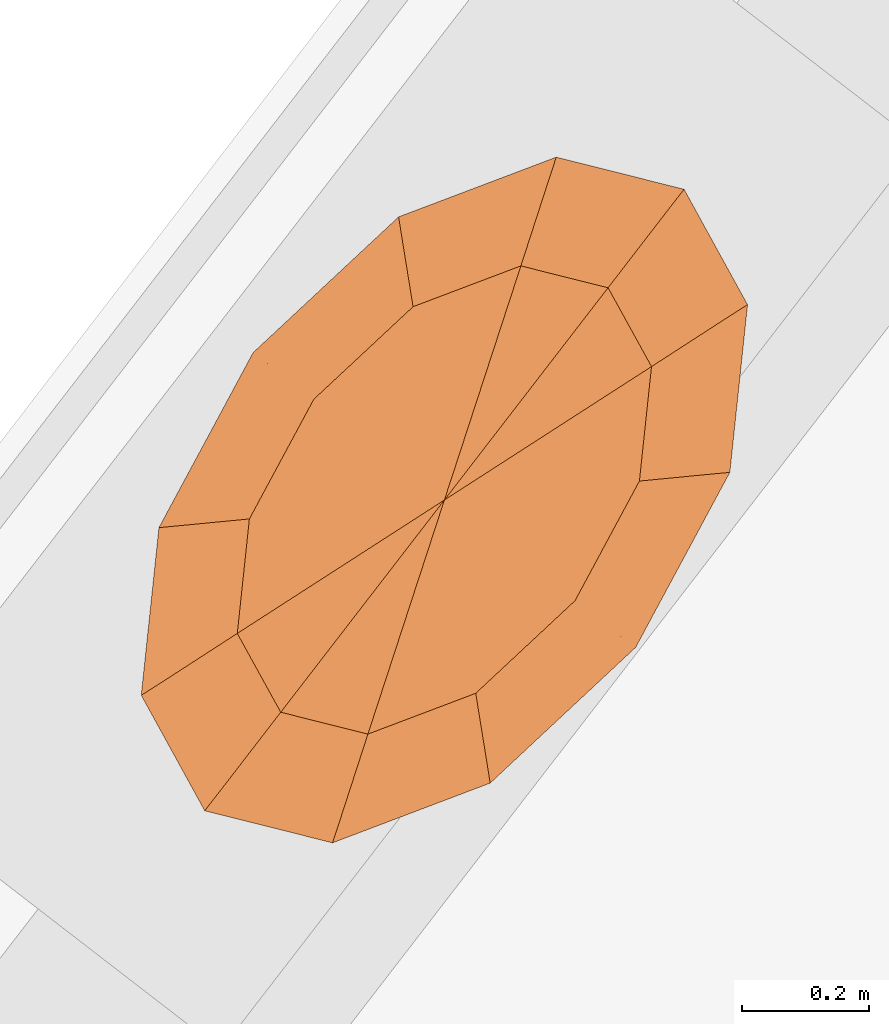
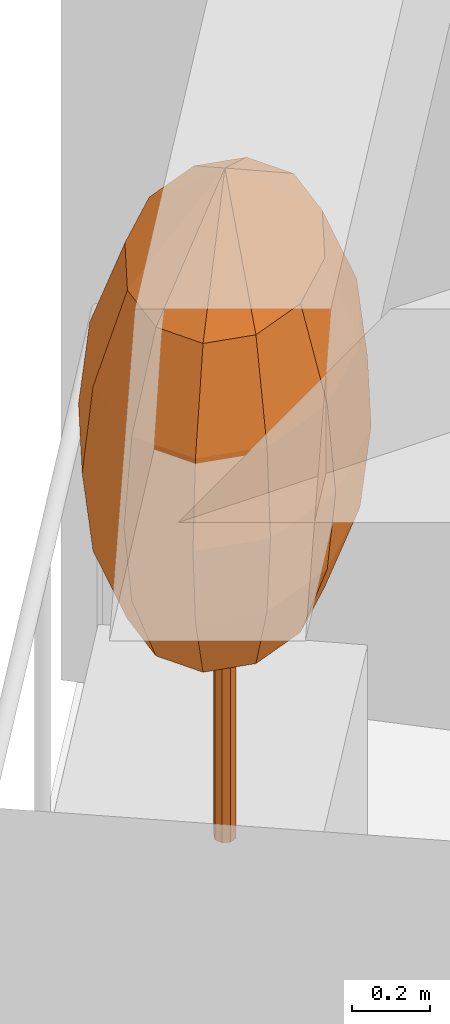
# One storey, part 13 of 13: 1 geographic element.
"""IFC4 building model written with IfcOpenShell, lengths in metres."""

import ifcopenshell
import ifcopenshell.guid

model = None  # the IFC model being written
_history = None  # IfcOwnerHistory: only IFC2X3 demands one
_inside = {}  # id of a spatial element -> (the spatial element, [elements in it])
_under = {}  # id of a project, library or spatial element -> (it, [spatial elements below it])
_declared = {}  # id of a project -> (the project, [libraries it declares])
_typed = {}  # id of a type object -> (the type object, [elements of that type])
_made_of = {}  # id of a material, layer set ... -> (it, [elements and type objects made of it])


def new_model(schema):
    """Start an empty IFC model of exactly this schema.

    Asked for "IFC4X3", IfcOpenShell would pick the latest addendum, in which some entities
    have other attributes; the version numbers below select the first issue.
    IFC2X3 requires an IfcOwnerHistory on every rooted entity: one is made here for all.
    """
    global model, _history
    if schema == "IFC4X3":
        model = ifcopenshell.file(schema_version=(4, 3, 0, 0))
    else:
        model = ifcopenshell.file(schema=schema)
    _inside.clear()
    _under.clear()
    _declared.clear()
    _typed.clear()
    _made_of.clear()
    _history = None
    if model.schema == "IFC2X3":
        org = make("IfcOrganization", Name="unknown")
        user = make(
            "IfcPersonAndOrganization",
            ThePerson=make("IfcPerson", FamilyName="unknown"),
            TheOrganization=org,
        )
        app = make(
            "IfcApplication",
            ApplicationDeveloper=org,
            Version="unknown",
            ApplicationFullName="unknown",
            ApplicationIdentifier="unknown",
        )
        _history = make(
            "IfcOwnerHistory",
            OwningUser=user,
            OwningApplication=app,
            ChangeAction="ADDED",
            CreationDate=0,
        )
    return model


def make(cls, **values):
    """One entity of the class cls with the attributes given. An attribute that is None is left unset."""
    return model.create_entity(
        cls, **{name: value for name, value in values.items() if value is not None}
    )


def rooted(cls, **values):
    """An entity with a GlobalId (a new one), such as an element, a storey or a relation."""
    return make(cls, GlobalId=ifcopenshell.guid.new(), OwnerHistory=_history, **values)


def si_unit(unit_type, name, prefix=None):
    """IfcSIUnit, for example si_unit("LENGTHUNIT", "METRE", prefix="MILLI")."""
    return make("IfcSIUnit", UnitType=unit_type, Prefix=prefix, Name=name)


def assignment(units):
    """IfcUnitAssignment: the units of a project."""
    return None if units is None else make("IfcUnitAssignment", Units=units)


def point(xyz):
    """IfcCartesianPoint."""
    return None if xyz is None else make("IfcCartesianPoint", Coordinates=xyz)


def direction(xyz):
    """IfcDirection."""
    return None if xyz is None else make("IfcDirection", DirectionRatios=xyz)


def frame(location, z_axis=None, x_axis=None):
    """IfcAxis2Placement3D, a coordinate frame: its origin and axes. An axis left out is left unset."""
    return make(
        "IfcAxis2Placement3D",
        Location=point(location),
        Axis=direction(z_axis),
        RefDirection=direction(x_axis),
    )


def origin():
    """The frame at (0, 0, 0) with its axes left unset."""
    return frame((0.0, 0.0, 0.0))


def place(relative_to, where):
    """IfcLocalPlacement: puts the frame where relative to a parent placement (None: the world)."""
    return make(
        "IfcLocalPlacement", PlacementRelTo=relative_to, RelativePlacement=where
    )


def context(
    kind, dimensions, precision=None, world=None, true_north=None, identifier=None
):
    """IfcGeometricRepresentationContext, for example the 3D "Model" context."""
    return make(
        "IfcGeometricRepresentationContext",
        ContextIdentifier=identifier,
        ContextType=kind,
        CoordinateSpaceDimension=dimensions,
        Precision=precision,
        WorldCoordinateSystem=world,
        TrueNorth=true_north,
    )


def subcontext(parent, identifier, kind, view, scale=None):
    """IfcGeometricRepresentationSubContext, for example "Body" below "Model"."""
    return make(
        "IfcGeometricRepresentationSubContext",
        ContextIdentifier=identifier,
        ContextType=kind,
        ParentContext=parent,
        TargetScale=scale,
        TargetView=view,
    )


def project(units=None, contexts=None):
    """IfcProject with its units and contexts."""
    return rooted(
        "IfcProject",
        Name="project",
        RepresentationContexts=contexts,
        UnitsInContext=assignment(units),
    )


def spatial(cls, under=None, at=None, **own):
    """A site, building, storey or space (cls), placed at a placement, below another one or the project."""
    s = rooted(cls, ObjectPlacement=at, **own)
    if under is not None:
        _under.setdefault(under.id(), (under, []))[1].append(s)
    return s


def faces_of(points, faces, orient=None, outer=None):
    """IfcFace entities. A face is a list of loops; a loop is a list of indices into points, from 0.

    orient and outer hold one flag for each loop. By default every Orientation is true, the
    first loop of a face is its IfcFaceOuterBound and the others are IfcFaceBound.
    """
    made = []
    for i, loops in enumerate(faces):
        bounds = []
        for j, loop in enumerate(loops):
            is_outer = j == 0 if outer is None else outer[i][j]
            bounds.append(
                make(
                    "IfcFaceOuterBound" if is_outer else "IfcFaceBound",
                    Bound=make("IfcPolyLoop", Polygon=[points[k] for k in loop]),
                    Orientation=True if orient is None else orient[i][j],
                )
            )
        made.append(make("IfcFace", Bounds=bounds))
    return made


def faceted_brep(points, faces, orient=None, outer=None, voids=None):
    """IfcFacetedBrep: a solid bounded by flat faces; with voids (closed shells), ...WithVoids."""
    shared = [point(p) for p in points]
    hull = make("IfcClosedShell", CfsFaces=faces_of(shared, faces, orient, outer))
    if voids is None:
        return make("IfcFacetedBrep", Outer=hull)
    return make(
        "IfcFacetedBrepWithVoids",
        Outer=hull,
        Voids=[
            make(cls, CfsFaces=faces_of(shared, fs, o, b)) for cls, fs, o, b in voids
        ],
    )


def shape(context_of_items, identifier, shape_type, items):
    """IfcShapeRepresentation: the items that make up one representation, for example the "Body"."""
    return make(
        "IfcShapeRepresentation",
        ContextOfItems=context_of_items,
        RepresentationIdentifier=identifier,
        RepresentationType=shape_type,
        Items=items,
    )


def material(Name=None, Category=None):
    """IfcMaterial."""
    return make("IfcMaterial", Name=Name, Category=Category)


def constituent(of_material, Name=None, Category=None, fraction=None):
    """IfcMaterialConstituent: one of the materials an element consists of."""
    return make(
        "IfcMaterialConstituent",
        Name=Name,
        Material=of_material,
        Fraction=fraction,
        Category=Category,
    )


def constituent_set(constituents=None, Name=None):
    """IfcMaterialConstituentSet."""
    return make(
        "IfcMaterialConstituentSet", Name=Name, MaterialConstituents=constituents
    )


def made_of(thing, what):
    """Note that an element or type object is made of a material, layer set ...; save() writes the relation."""
    if what is not None:
        _made_of.setdefault(what.id(), (what, []))[1].append(thing)
    return thing


def type_object(cls, material=None, **own):
    """A type object (cls), such as IfcWallType, which elements share."""
    return made_of(rooted(cls, **own), material)


def element(
    cls,
    number,
    at=None,
    inside=None,
    cuts=None,
    type_object=None,
    material=None,
    context=None,
    identifier="Body",
    shape_type=None,
    held_by="IfcProductDefinitionShape",
    body=None,
    shapes=None,
    **own,
):
    """One element of the class cls, such as IfcWall. Its Tag is "e" and its number.

    at: its placement. inside: the storey or other place that contains it. cuts: it is an
    opening in that element (IfcRelVoidsElement). A single representation is given by context,
    identifier, shape_type and body (its items); several are given by shapes. held_by: the class
    of the entity that holds the representations. save() writes the other relations.
    """
    e = rooted(cls, Tag="e%d" % number, ObjectPlacement=at, **own)
    if body is not None:
        shapes = [shape(context, identifier, shape_type, body)]
    if shapes is not None:
        e.Representation = make(held_by, Representations=shapes)
    if inside is not None:
        _inside.setdefault(inside.id(), (inside, []))[1].append(e)
    if cuts is not None:
        rooted(
            "IfcRelVoidsElement", RelatingBuildingElement=cuts, RelatedOpeningElement=e
        )
    if type_object is not None:
        _typed.setdefault(type_object.id(), (type_object, []))[1].append(e)
    return made_of(e, material)


def aggregate(whole, parts):
    """IfcRelAggregates: a whole, such as a stair, and the parts it consists of."""
    return rooted("IfcRelAggregates", RelatingObject=whole, RelatedObjects=parts)


def save(model, path):
    """Write the relations noted so far, then the file.

    IfcRelAggregates (storeys below a building ...), IfcRelContainedInSpatialStructure (elements
    in a storey), IfcRelDefinesByType, IfcRelAssociatesMaterial and IfcRelDeclares: one each for
    every whole, place, type object, material and project.
    """
    for whole, parts in _under.values():
        aggregate(whole, parts)
    for where, things in _inside.values():
        rooted(
            "IfcRelContainedInSpatialStructure",
            RelatedElements=things,
            RelatingStructure=where,
        )
    for kind, things in _typed.values():
        rooted("IfcRelDefinesByType", RelatedObjects=things, RelatingType=kind)
    for what, things in _made_of.values():
        rooted("IfcRelAssociatesMaterial", RelatedObjects=things, RelatingMaterial=what)
    for by, libraries in _declared.values():
        rooted("IfcRelDeclares", RelatingContext=by, RelatedDefinitions=libraries)
    model.write(path)


model = new_model("IFC4")

# Units and contexts
model_context = context("Model", 3, precision=1e-05, world=origin(), true_north=direction((0.0, 1.0)))
body_context = subcontext(model_context, "Body", "Model", "MODEL_VIEW")
ifc_project = project(units=[si_unit("LENGTHUNIT", "METRE"), si_unit("AREAUNIT", "SQUARE_METRE"), si_unit("VOLUMEUNIT", "CUBIC_METRE"), si_unit("PLANEANGLEUNIT", "RADIAN"), si_unit("MASSUNIT", "GRAM", prefix="KILO")], contexts=[model_context])

# Site, building, storey
site_placement = place(None, origin())
site = spatial("IfcSite", under=ifc_project, at=site_placement, CompositionType="ELEMENT")
building_placement = place(site_placement, origin())
building = spatial("IfcBuilding", under=site, at=building_placement, Name="Taillehof Tower", CompositionType="ELEMENT")
storey_placement = place(building_placement, frame((0.0, 0.0, 112.0)))
storey = spatial("IfcBuildingStorey", under=building, at=storey_placement, Name="L31", CompositionType="ELEMENT", Elevation=112.0)

# Geographic element
ifc_material_1 = material(Name="Tree bark", Category="timber")
ifc_constituent_1 = constituent(ifc_material_1, Name="Trunk", Category="timber")
ifc_material_2 = material(Name="Tree foliage")
ifc_constituent_2 = constituent(ifc_material_2, Name="Crown")
ifc_constituent_set = constituent_set(constituents=[ifc_constituent_1, ifc_constituent_2], Name="Tree TR1 Columnar hornbeam")
geographic_element_type = type_object("IfcGeographicElementType", Name="Tree TR1 Columnar hornbeam", PredefinedType="USERDEFINED", material=ifc_constituent_set)
geographic_element_placement = place(storey_placement, frame((-20.56689453125, 12.99609375, 0.75)))
element("IfcGeographicElement", 1, at=geographic_element_placement, inside=storey, type_object=geographic_element_type, Name="Tree TR1 Columnar hornbeam", ObjectType="TREE", PredefinedType="USERDEFINED", context=body_context, shape_type="Brep", body=[
    faceted_brep([(0.030029296875, 0.0, 0.0), (0.021240234375, 0.021240234375, 0.0), (0.021240234375, 0.021240234375, 1.092529296875), (0.030029296875, 0.0, 1.092529296875), (0.0, 0.030029296875, 0.0), (0.0, 0.030029296875, 1.092529296875), (-0.021240234375, 0.021240234375, 0.0), (-0.021240234375, 0.021240234375, 1.092529296875), (-0.030029296875, 0.0, 0.0), (-0.030029296875, 0.0, 1.092529296875), (-0.021240234375, -0.021240234375, 0.0), (-0.021240234375, -0.021240234375, 1.092529296875), (0.0, -0.030029296875, 0.0), (0.0, -0.030029296875, 1.092529296875), (0.021240234375, -0.021240234375, 0.0), (0.021240234375, -0.021240234375, 1.092529296875)], [[[0, 1, 2, 3]], [[1, 4, 5, 2]], [[4, 6, 7, 5]], [[6, 8, 9, 7]], [[8, 10, 11, 9]], [[10, 12, 13, 11]], [[12, 14, 15, 13]], [[14, 0, 3, 15]], [[14, 12, 10, 8, 6, 4, 1, 0]], [[3, 2, 5, 7, 9, 11, 13, 15]]]),
    faceted_brep([(0.0, 0.0, 0.550048828125), (-0.120361328125, -0.368408203125, 0.808349609375), (-0.257568359375, -0.333984375, 0.808349609375), (0.04931640625, -0.30419921875, 0.808349609375), (0.20556640625, -0.158447265625, 0.808349609375), (0.306884765625, 0.02978515625, 0.808349609375), (0.325927734375, 0.2099609375, 0.808349609375), (0.257568359375, 0.333984375, 0.808349609375), (0.120361328125, 0.368408203125, 0.808349609375), (-0.04931640625, 0.30419921875, 0.808349609375), (-0.20556640625, 0.158447265625, 0.808349609375), (-0.306884765625, -0.02978515625, 0.808349609375), (-0.325927734375, -0.2099609375, 0.808349609375), (-0.16259765625, -0.49853515625, 1.066650390625), (-0.348388671875, -0.451904296875, 1.066650390625), (0.066650390625, -0.41162109375, 1.066650390625), (0.278076171875, -0.21435546875, 1.066650390625), (0.4150390625, 0.040283203125, 1.066650390625), (0.440673828125, 0.2841796875, 1.066650390625), (0.348388671875, 0.451904296875, 1.066650390625), (0.16259765625, 0.49853515625, 1.066650390625), (-0.066650390625, 0.41162109375, 1.066650390625), (-0.278076171875, 0.21435546875, 1.066650390625), (-0.4150390625, -0.040283203125, 1.066650390625), (-0.440673828125, -0.2841796875, 1.066650390625), (-0.176025390625, -0.53955078125, 1.324951171875), (-0.377197265625, -0.489013671875, 1.324951171875), (0.072021484375, -0.445556640625, 1.324951171875), (0.301025390625, -0.23193359375, 1.324951171875), (0.44921875, 0.04345703125, 1.324951171875), (0.47705078125, 0.307373046875, 1.324951171875), (0.377197265625, 0.489013671875, 1.324951171875), (0.176025390625, 0.53955078125, 1.324951171875), (-0.072021484375, 0.445556640625, 1.324951171875), (-0.301025390625, 0.23193359375, 1.324951171875), (-0.44921875, -0.04345703125, 1.324951171875), (-0.47705078125, -0.307373046875, 1.324951171875), (-0.16259765625, -0.49853515625, 1.583251953125), (-0.348388671875, -0.451904296875, 1.583251953125), (0.066650390625, -0.41162109375, 1.583251953125), (0.278076171875, -0.21435546875, 1.583251953125), (0.4150390625, 0.040283203125, 1.583251953125), (0.440673828125, 0.2841796875, 1.583251953125), (0.348388671875, 0.451904296875, 1.583251953125), (0.16259765625, 0.49853515625, 1.583251953125), (-0.066650390625, 0.41162109375, 1.583251953125), (-0.278076171875, 0.21435546875, 1.583251953125), (-0.4150390625, -0.040283203125, 1.583251953125), (-0.440673828125, -0.2841796875, 1.583251953125), (-0.120361328125, -0.368408203125, 1.841552734375), (-0.257568359375, -0.333984375, 1.841552734375), (0.04931640625, -0.30419921875, 1.841552734375), (0.20556640625, -0.158447265625, 1.841552734375), (0.306884765625, 0.02978515625, 1.841552734375), (0.325927734375, 0.2099609375, 1.841552734375), (0.257568359375, 0.333984375, 1.841552734375), (0.120361328125, 0.368408203125, 1.841552734375), (-0.04931640625, 0.30419921875, 1.841552734375), (-0.20556640625, 0.158447265625, 1.841552734375), (-0.306884765625, -0.02978515625, 1.841552734375), (-0.325927734375, -0.2099609375, 1.841552734375), (0.0, 0.0, 2.10009765625)], [[[0, 1, 2]], [[0, 3, 1]], [[0, 4, 3]], [[0, 5, 4]], [[0, 6, 5]], [[0, 7, 6]], [[0, 8, 7]], [[0, 9, 8]], [[0, 10, 9]], [[0, 11, 10]], [[0, 12, 11]], [[0, 2, 12]], [[2, 1, 13, 14]], [[1, 3, 15, 13]], [[3, 4, 16, 15]], [[4, 5, 17, 16]], [[5, 6, 18, 17]], [[6, 7, 19, 18]], [[7, 8, 20, 19]], [[8, 9, 21, 20]], [[9, 10, 22, 21]], [[10, 11, 23, 22]], [[11, 12, 24, 23]], [[12, 2, 14, 24]], [[14, 13, 25, 26]], [[13, 15, 27, 25]], [[15, 16, 28, 27]], [[16, 17, 29, 28]], [[17, 18, 30, 29]], [[18, 19, 31, 30]], [[19, 20, 32, 31]], [[20, 21, 33, 32]], [[21, 22, 34, 33]], [[22, 23, 35, 34]], [[23, 24, 36, 35]], [[24, 14, 26, 36]], [[26, 25, 37, 38]], [[25, 27, 39, 37]], [[27, 28, 40, 39]], [[28, 29, 41, 40]], [[29, 30, 42, 41]], [[30, 31, 43, 42]], [[31, 32, 44, 43]], [[32, 33, 45, 44]], [[33, 34, 46, 45]], [[34, 35, 47, 46]], [[35, 36, 48, 47]], [[36, 26, 38, 48]], [[38, 37, 49, 50]], [[37, 39, 51, 49]], [[39, 40, 52, 51]], [[40, 41, 53, 52]], [[41, 42, 54, 53]], [[42, 43, 55, 54]], [[43, 44, 56, 55]], [[44, 45, 57, 56]], [[45, 46, 58, 57]], [[46, 47, 59, 58]], [[47, 48, 60, 59]], [[48, 38, 50, 60]], [[50, 49, 61]], [[49, 51, 61]], [[51, 52, 61]], [[52, 53, 61]], [[53, 54, 61]], [[54, 55, 61]], [[55, 56, 61]], [[56, 57, 61]], [[57, 58, 61]], [[58, 59, 61]], [[59, 60, 61]], [[60, 50, 61]]]),
])

save(model, "model.ifc")
